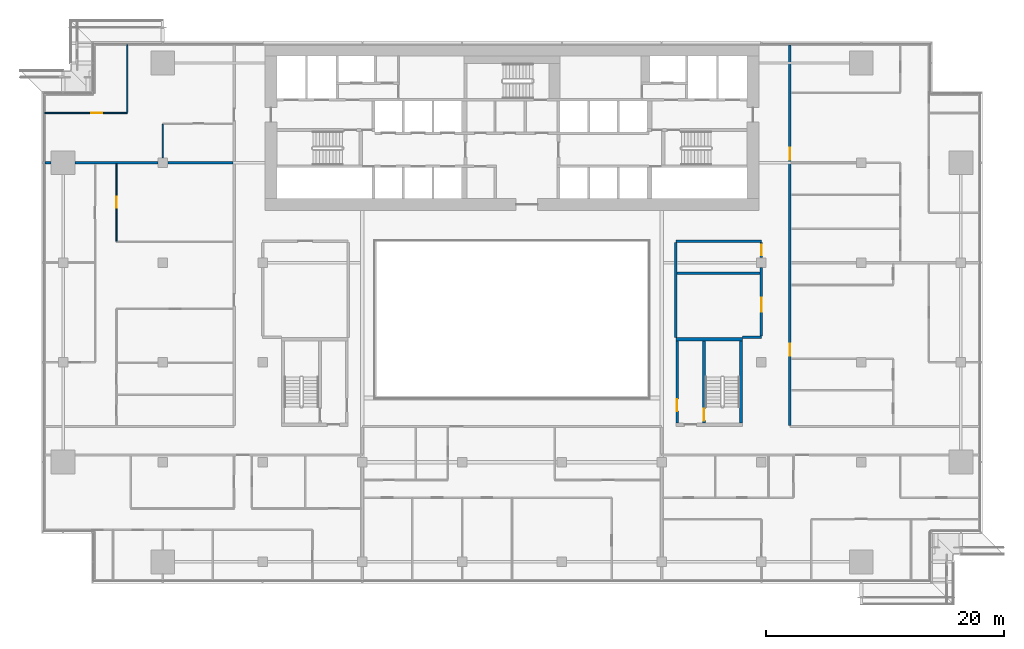
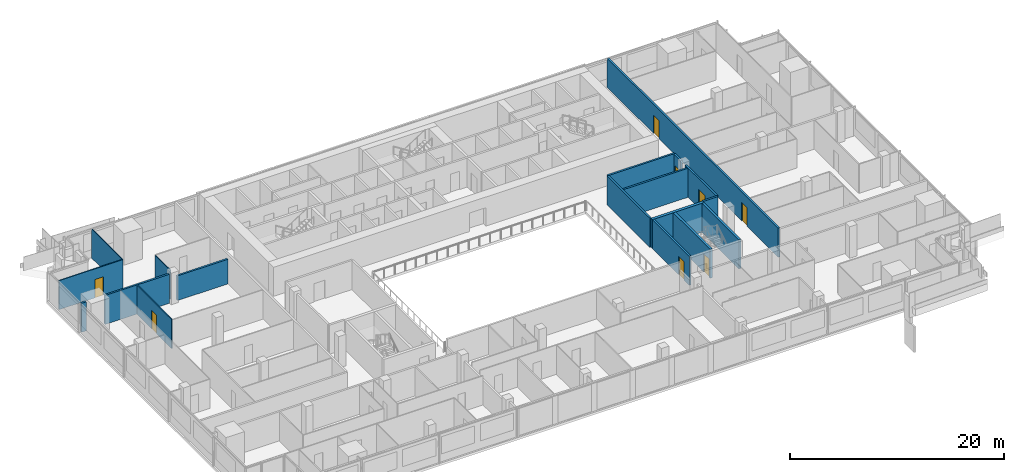
# One storey, part 20 of 30: 18 walls, 8 doors, 8 openings.
"""IFC4 building model written with IfcOpenShell, lengths in metres."""

from ifc_helpers import new_model, si_unit, direction, frame, frame_2d, origin, place, context, subcontext, project, spatial, rectangle, extrude, material, layer, layer_set, type_object, element, fill, save


model = new_model("IFC4")

# Units and contexts
model_context = context("Model", 3, precision=1e-05, world=origin(), true_north=direction((0.0, 1.0)))
body_context = subcontext(model_context, "Body", "Model", "MODEL_VIEW")
ifc_project = project(units=[si_unit("LENGTHUNIT", "METRE"), si_unit("AREAUNIT", "SQUARE_METRE"), si_unit("VOLUMEUNIT", "CUBIC_METRE"), si_unit("PLANEANGLEUNIT", "RADIAN"), si_unit("MASSUNIT", "GRAM", prefix="KILO")], contexts=[model_context])

# Site, building, storey
site_placement = place(None, origin())
site = spatial("IfcSite", under=ifc_project, at=site_placement, CompositionType="ELEMENT")
building_placement = place(site_placement, origin())
building = spatial("IfcBuilding", under=site, at=building_placement, Name="Saffron Gate Tower", CompositionType="ELEMENT")
storey_placement = place(building_placement, frame((0.0, 0.0, 127.64990234375)))
storey = spatial("IfcBuildingStorey", under=building, at=storey_placement, Name="L30", CompositionType="ELEMENT", Elevation=127.64990234375)

# Wall, opening, door
ifc_material_1 = material(Name="Gypsum board partition on steel studs", Category="steel")
ifc_layer_1 = layer(ifc_material_1, 0.199951171875)
ifc_layer_set_1 = layer_set([ifc_layer_1], Name="CW10 Core partition 200")
wall_type_1 = type_object("IfcWallType", Name="CW10 Core partition 200", PredefinedType="PARTITIONING", material=ifc_layer_set_1)
wall_1_placement = place(storey_placement, frame((101.5, 43.5, 0.0), z_axis=(0.0, 0.0, 1.0), x_axis=(0.0, 1.0, 0.0)))
wall_1 = element("IfcWall", 1, at=wall_1_placement, inside=storey, type_object=wall_type_1, Name="Wall CW10-L30-E-2", PredefinedType="PARTITIONING", context=body_context, shape_type="SweptSolid", body=[
    extrude(rectangle(XDim=6.89990234375, YDim=0.199951171875, at=frame_2d((3.449951171875, 0.0))), origin(), (0.0, 0.0, 1.0), 3.320068359375),
])
opening_1_placement = place(wall_1_placement, frame((1.0, 0.0, 0.0)))
opening_1 = element("IfcOpeningElement", 2, at=opening_1_placement, cuts=wall_1, Name="Opening CR-22", PredefinedType="OPENING", context=body_context, shape_type="SweptSolid", body=[
    extrude(rectangle(XDim=1.0, YDim=2.10009765625, at=frame_2d((0.5, 1.050048828125))), frame((0.0, 0.10986328125, 0.0), z_axis=(0.0, -1.0, 0.0), x_axis=(1.0, 0.0, 0.0)), (0.0, 0.0, 1.0), 0.219970703125),
])
ifc_material_2 = material(Name="Steel fire door set", Category="steel")
door_type_1 = type_object("IfcDoorType", Name="CD4 Lobby door 1000x2100 EI 120", OperationType="NOTDEFINED", PredefinedType="DOOR", material=ifc_material_2)
door_1_placement = place(opening_1_placement, origin())
door_1 = element("IfcDoor", 3, at=door_1_placement, inside=storey, type_object=door_type_1, Name="DOOR CR-22", OperationType="SINGLE_SWING_LEFT", OverallHeight=2.10009765625, OverallWidth=1.0, PredefinedType="DOOR", context=body_context, shape_type="SweptSolid", body=[
    extrude(rectangle(XDim=1.0, YDim=2.10009765625, at=frame_2d((0.5, 1.050048828125))), frame((0.0, 0.02490234375, 0.0), z_axis=(0.0, -1.0, 0.0), x_axis=(1.0, 0.0, 0.0)), (0.0, 0.0, 1.0), 0.050048828125),
])
fill(opening_1, door_1)

ifc_material_3 = material(Name="Concrete C70", Category="concrete")
ifc_layer_2 = layer(ifc_material_3, 0.25)
ifc_layer_set_2 = layer_set([ifc_layer_2], Name="CW2 RC core wall 250 C70")
wall_type_2 = type_object("IfcWallType", Name="CW2 RC core wall 250 C70", PredefinedType="SOLIDWALL", material=ifc_layer_set_2)
wall_2_placement = place(storey_placement, frame((103.77490234375, 43.5, 0.0), z_axis=(0.0, 0.0, 1.0), x_axis=(0.0, 1.0, 0.0)))
wall_2 = element("IfcWall", 4, at=wall_2_placement, inside=storey, type_object=wall_type_2, Name="Wall CW2-L30-E-3", PredefinedType="SOLIDWALL", context=body_context, shape_type="SweptSolid", body=[
    extrude(rectangle(XDim=6.89990234375, YDim=0.25, at=frame_2d((3.449951171875, 0.0))), origin(), (0.0, 0.0, 1.0), 3.320068359375),
])
opening_2_placement = place(wall_2_placement, frame((0.199951171875, 0.0, 0.0)))
opening_2 = element("IfcOpeningElement", 5, at=opening_2_placement, cuts=wall_2, Name="Opening CR-23", PredefinedType="OPENING", context=body_context, shape_type="SweptSolid", body=[
    extrude(rectangle(XDim=1.0, YDim=2.10009765625, at=frame_2d((0.5, 1.050048828125))), frame((0.0, 0.135009765625, 0.0), z_axis=(0.0, -1.0, 0.0), x_axis=(1.0, 0.0, 0.0)), (0.0, 0.0, 1.0), 0.27001953125),
])
door_type_2 = type_object("IfcDoorType", Name="CD5 Stair door 1000x2100 EI 120", OperationType="NOTDEFINED", PredefinedType="DOOR", material=ifc_material_2)
door_2_placement = place(opening_2_placement, origin())
door_2 = element("IfcDoor", 6, at=door_2_placement, inside=storey, type_object=door_type_2, Name="DOOR CR-23", OperationType="SINGLE_SWING_RIGHT", OverallHeight=2.10009765625, OverallWidth=1.0, PredefinedType="DOOR", context=body_context, shape_type="SweptSolid", body=[
    extrude(rectangle(XDim=1.0, YDim=2.10009765625, at=frame_2d((0.5, 1.050048828125))), frame((0.0, 0.02490234375, 0.0), z_axis=(0.0, -1.0, 0.0), x_axis=(1.0, 0.0, 0.0)), (0.0, 0.0, 1.0), 0.050048828125),
])
fill(opening_2, door_2)

# Walls
wall_3_placement = place(storey_placement, frame((106.875, 43.5, 0.0), z_axis=(0.0, 0.0, 1.0), x_axis=(0.0, 1.0, 0.0)))
element("IfcWall", 7, at=wall_3_placement, inside=storey, type_object=wall_type_2, Name="Wall CW2-L30-E-4", PredefinedType="SOLIDWALL", context=body_context, shape_type="SweptSolid", body=[
    extrude(rectangle(XDim=6.89990234375, YDim=0.25, at=frame_2d((3.449951171875, 0.0))), origin(), (0.0, 0.0, 1.0), 3.320068359375),
])
ifc_layer_3 = layer(ifc_material_3, 0.300048828125)
ifc_layer_set_3 = layer_set([ifc_layer_3], Name="CW5 RC core wall 300 C70")
wall_type_3 = type_object("IfcWallType", Name="CW5 RC core wall 300 C70", PredefinedType="SOLIDWALL", material=ifc_layer_set_3)
wall_4_placement = place(storey_placement, frame((101.39990234375, 50.550048828125, 0.0), z_axis=(0.0, 0.0, 1.0), x_axis=(1.0, 0.0, 0.0)))
element("IfcWall", 8, at=wall_4_placement, inside=storey, type_object=wall_type_3, Name="Wall CW5-L30-E-5", PredefinedType="SOLIDWALL", context=body_context, shape_type="SweptSolid", body=[
    extrude(rectangle(XDim=5.60009765625, YDim=0.300048828125, at=frame_2d((2.800048828125, 0.0))), origin(), (0.0, 0.0, 1.0), 3.320068359375),
])

# Wall, opening, door
ifc_material_4 = material(Name="Plasterboard on steel studs", Category="steel")
ifc_layer_4 = layer(ifc_material_4, 0.10009765625)
ifc_layer_set_4 = layer_set([ifc_layer_4], Name="PW1 Partition 100")
wall_type_4 = type_object("IfcWallType", Name="PW1 Partition 100", PredefinedType="PARTITIONING", material=ifc_layer_set_4)
wall_5_placement = place(storey_placement, frame((48.280029296875, 69.60009765625, 0.0), z_axis=(0.0, 0.0, 1.0), x_axis=(1.0, 0.0, 0.0)))
wall_5 = element("IfcWall", 9, at=wall_5_placement, inside=storey, type_object=wall_type_4, Name="Partition B4-50", PredefinedType="PARTITIONING", context=body_context, shape_type="SweptSolid", body=[
    extrude(rectangle(XDim=6.919921875, YDim=0.10009765625, at=frame_2d((3.4599609375, 0.0))), origin(), (0.0, 0.0, 1.0), 3.320068359375),
])
opening_3_placement = place(wall_5_placement, frame((3.9052734375, 0.0, 0.0)))
opening_3 = element("IfcOpeningElement", 10, at=opening_3_placement, cuts=wall_5, Name="Opening B4-27", PredefinedType="OPENING", context=body_context, shape_type="SweptSolid", body=[
    extrude(rectangle(XDim=0.89990234375, YDim=2.10009765625, at=frame_2d((0.449951171875, 1.050048828125))), frame((0.0, 0.06005859375, 0.0), z_axis=(0.0, -1.0, 0.0), x_axis=(1.0, 0.0, 0.0)), (0.0, 0.0, 1.0), 0.1201171875),
])
ifc_material_5 = material(Name="Timber door set", Category="wood")
door_type_3 = type_object("IfcDoorType", Name="RD1 Room door 900x2100", OperationType="NOTDEFINED", PredefinedType="DOOR", material=ifc_material_5)
door_3_placement = place(opening_3_placement, origin())
door_3 = element("IfcDoor", 11, at=door_3_placement, inside=storey, type_object=door_type_3, Name="Door B4-27", OperationType="SINGLE_SWING_RIGHT", OverallHeight=2.10009765625, OverallWidth=0.89990234375, PredefinedType="DOOR", context=body_context, shape_type="SweptSolid", body=[
    extrude(rectangle(XDim=0.89990234375, YDim=2.10009765625, at=frame_2d((0.449951171875, 1.050048828125))), frame((0.0, 0.02490234375, 0.0), z_axis=(0.0, -1.0, 0.0), x_axis=(1.0, 0.0, 0.0)), (0.0, 0.0, 1.0), 0.050048828125),
])
fill(opening_3, door_3)

wall_6_placement = place(storey_placement, frame((54.300048828125, 65.300048828125, 0.0), z_axis=(0.0, 0.0, 1.0), x_axis=(0.0, -1.0, 0.0)))
wall_6 = element("IfcWall", 12, at=wall_6_placement, inside=storey, type_object=wall_type_4, Name="Partition B4-56", PredefinedType="PARTITIONING", context=body_context, shape_type="SweptSolid", body=[
    extrude(rectangle(XDim=6.508544921875, YDim=0.10009765625, at=frame_2d((3.25439453125, 0.0))), origin(), (0.0, 0.0, 1.0), 3.320068359375),
])
opening_4_placement = place(wall_6_placement, frame((2.779296875, 0.0, 0.0)))
opening_4 = element("IfcOpeningElement", 13, at=opening_4_placement, cuts=wall_6, Name="Opening B4-25", PredefinedType="OPENING", context=body_context, shape_type="SweptSolid", body=[
    extrude(rectangle(XDim=0.89990234375, YDim=2.10009765625, at=frame_2d((0.449951171875, 1.050048828125))), frame((0.0, 0.06005859375, 0.0), z_axis=(0.0, -1.0, 0.0), x_axis=(1.0, 0.0, 0.0)), (0.0, 0.0, 1.0), 0.1201171875),
])
door_4_placement = place(opening_4_placement, origin())
door_4 = element("IfcDoor", 14, at=door_4_placement, inside=storey, type_object=door_type_3, Name="Door B4-25", OperationType="SINGLE_SWING_LEFT", OverallHeight=2.10009765625, OverallWidth=0.89990234375, PredefinedType="DOOR", context=body_context, shape_type="SweptSolid", body=[
    extrude(rectangle(XDim=0.89990234375, YDim=2.10009765625, at=frame_2d((0.449951171875, 1.050048828125))), frame((0.0, 0.02490234375, 0.0), z_axis=(0.0, -1.0, 0.0), x_axis=(1.0, 0.0, 0.0)), (0.0, 0.0, 1.0), 0.050048828125),
])
fill(opening_4, door_4)

# Walls
wall_7_placement = place(storey_placement, frame((55.199951171875, 75.320068359375, 0.0), z_axis=(0.0, 0.0, 1.0), x_axis=(0.0, -1.0, 0.0)))
element("IfcWall", 15, at=wall_7_placement, inside=storey, type_object=wall_type_4, Name="Partition B4-57", PredefinedType="PARTITIONING", context=body_context, shape_type="SweptSolid", body=[
    extrude(rectangle(XDim=5.670166015625, YDim=0.10009765625, at=frame_2d((2.8349609375, 0.0))), origin(), (0.0, 0.0, 1.0), 3.320068359375),
])
wall_8_placement = place(storey_placement, frame((58.199951171875, 68.64990234375, 0.0), z_axis=(0.0, 0.0, 1.0), x_axis=(0.0, -1.0, 0.0)))
element("IfcWall", 16, at=wall_8_placement, inside=storey, type_object=wall_type_4, Name="Partition B4-61", PredefinedType="PARTITIONING", context=body_context, shape_type="SweptSolid", body=[
    extrude(rectangle(XDim=2.829833984375, YDim=0.10009765625, at=frame_2d((1.4150390625, 0.0))), origin(), (0.0, 0.0, 1.0), 3.320068359375),
])
ifc_material_6 = material(Name="Clay brick masonry, rendered", Category="masonry")
ifc_layer_5 = layer(ifc_material_6, 0.199951171875)
ifc_layer_set_5 = layer_set([ifc_layer_5], Name="PW2 Demising wall 200")
wall_type_5 = type_object("IfcWallType", Name="PW2 Demising wall 200", PredefinedType="PARTITIONING", material=ifc_layer_set_5)
wall_9_placement = place(storey_placement, frame((48.280029296875, 65.39990234375, 0.0), z_axis=(0.0, 0.0, 1.0), x_axis=(1.0, 0.0, 0.0)))
element("IfcWall", 17, at=wall_9_placement, inside=storey, type_object=wall_type_5, Name="Wall B4-44", PredefinedType="PARTITIONING", context=body_context, shape_type="SweptSolid", body=[
    extrude(rectangle(XDim=0.5, YDim=0.199951171875, at=frame_2d((0.25, 0.0))), origin(), (0.0, 0.0, 1.0), 3.320068359375),
])
wall_10_placement = place(storey_placement, frame((50.820068359375, 65.39990234375, 0.0), z_axis=(0.0, 0.0, 1.0), x_axis=(1.0, 0.0, 0.0)))
element("IfcWall", 18, at=wall_10_placement, inside=storey, type_object=wall_type_5, Name="Wall B4-45", PredefinedType="PARTITIONING", context=body_context, shape_type="SweptSolid", body=[
    extrude(rectangle(XDim=6.9599609375, YDim=0.199951171875, at=frame_2d((3.47998046875, 0.0))), origin(), (0.0, 0.0, 1.0), 3.320068359375),
])
wall_11_placement = place(storey_placement, frame((58.6201171875, 65.39990234375, 0.0), z_axis=(0.0, 0.0, 1.0), x_axis=(1.0, 0.0, 0.0)))
element("IfcWall", 19, at=wall_11_placement, inside=storey, type_object=wall_type_5, Name="Wall B4-46", PredefinedType="PARTITIONING", context=body_context, shape_type="SweptSolid", body=[
    extrude(rectangle(XDim=5.47998046875, YDim=0.199951171875, at=frame_2d((2.739990234375, 0.0))), origin(), (0.0, 0.0, 1.0), 2.820068359375),
])
ifc_layer_6 = layer(ifc_material_6, 0.199951171875)
ifc_layer_set_6 = layer_set([ifc_layer_6], Name="PW3 Corridor wall 200")
wall_type_6 = type_object("IfcWallType", Name="PW3 Corridor wall 200", PredefinedType="PARTITIONING", material=ifc_layer_set_6)
wall_12_placement = place(storey_placement, frame((107.0, 50.699951171875, 0.0), z_axis=(0.0, 0.0, 1.0), x_axis=(1.0, 0.0, 0.0)))
element("IfcWall", 20, at=wall_12_placement, inside=storey, type_object=wall_type_6, Name="Wall B4-29", PredefinedType="PARTITIONING", context=body_context, shape_type="SweptSolid", body=[
    extrude(rectangle(XDim=1.60009765625, YDim=0.199951171875, at=frame_2d((0.800048828125, 0.0))), origin(), (0.0, 0.0, 1.0), 3.320068359375),
])
wall_13_placement = place(storey_placement, frame((101.39990234375, 58.800048828125, 0.0), z_axis=(0.0, 0.0, 1.0), x_axis=(1.0, 0.0, 0.0)))
element("IfcWall", 21, at=wall_13_placement, inside=storey, type_object=wall_type_6, Name="Wall B4-40", PredefinedType="PARTITIONING", context=body_context, shape_type="SweptSolid", body=[
    extrude(rectangle(XDim=7.2001953125, YDim=0.199951171875, at=frame_2d((3.60009765625, 0.0))), origin(), (0.0, 0.0, 1.0), 3.320068359375),
])
wall_14_placement = place(storey_placement, frame((101.39990234375, 58.699951171875, 0.0), z_axis=(0.0, 0.0, 1.0), x_axis=(0.0, -1.0, 0.0)))
element("IfcWall", 22, at=wall_14_placement, inside=storey, type_object=wall_type_6, Name="Wall B4-85", PredefinedType="PARTITIONING", context=body_context, shape_type="SweptSolid", body=[
    extrude(rectangle(XDim=8.0, YDim=0.199951171875, at=frame_2d((4.0, 0.0))), origin(), (0.0, 0.0, 1.0), 3.320068359375),
])

# Wall, opening, door
wall_15_placement = place(storey_placement, frame((108.60009765625, 50.800048828125, 0.0), z_axis=(0.0, 0.0, 1.0), x_axis=(0.0, 1.0, 0.0)))
wall_15 = element("IfcWall", 23, at=wall_15_placement, inside=storey, type_object=wall_type_6, Name="Wall B4-87", PredefinedType="PARTITIONING", context=body_context, shape_type="SweptSolid", body=[
    extrude(rectangle(XDim=5.780029296875, YDim=0.199951171875, at=frame_2d((2.89013671875, 0.0))), origin(), (0.0, 0.0, 1.0), 3.320068359375),
])
opening_5_placement = place(wall_15_placement, frame((2.050048828125, 0.0, 0.0)))
opening_5 = element("IfcOpeningElement", 24, at=opening_5_placement, cuts=wall_15, Name="Opening B4-48", PredefinedType="OPENING", context=body_context, shape_type="SweptSolid", body=[
    extrude(rectangle(XDim=1.199951171875, YDim=2.10009765625, at=frame_2d((0.60009765625, 1.050048828125))), frame((0.0, 0.10986328125, 0.0), z_axis=(0.0, -1.0, 0.0), x_axis=(1.0, 0.0, 0.0)), (0.0, 0.0, 1.0), 0.219970703125),
])
door_type_4 = type_object("IfcDoorType", Name="HD1 Hall door 1200x2100", OperationType="NOTDEFINED", PredefinedType="DOOR", material=ifc_material_5)
door_5_placement = place(opening_5_placement, origin())
door_5 = element("IfcDoor", 25, at=door_5_placement, inside=storey, type_object=door_type_4, Name="Door B4-48", OperationType="SINGLE_SWING_RIGHT", OverallHeight=2.10009765625, OverallWidth=1.199951171875, PredefinedType="DOOR", context=body_context, shape_type="SweptSolid", body=[
    extrude(rectangle(XDim=1.199951171875, YDim=2.10009765625, at=frame_2d((0.60009765625, 1.050048828125))), frame((0.0, 0.02490234375, 0.0), z_axis=(0.0, -1.0, 0.0), x_axis=(1.0, 0.0, 0.0)), (0.0, 0.0, 1.0), 0.050048828125),
])
fill(opening_5, door_5)

wall_16_placement = place(storey_placement, frame((108.60009765625, 57.419921875, 0.0), z_axis=(0.0, 0.0, 1.0), x_axis=(0.0, 1.0, 0.0)))
wall_16 = element("IfcWall", 26, at=wall_16_placement, inside=storey, type_object=wall_type_6, Name="Wall B4-88", PredefinedType="PARTITIONING", context=body_context, shape_type="SweptSolid", body=[
    extrude(rectangle(XDim=1.280029296875, YDim=0.199951171875, at=frame_2d((0.64013671875, 0.0))), origin(), (0.0, 0.0, 1.0), 3.320068359375),
])
opening_6_placement = place(wall_16_placement, frame((0.18994140625, 0.0, 0.0)))
opening_6 = element("IfcOpeningElement", 27, at=opening_6_placement, cuts=wall_16, Name="Opening B4-35", PredefinedType="OPENING", context=body_context, shape_type="SweptSolid", body=[
    extrude(rectangle(XDim=0.89990234375, YDim=2.10009765625, at=frame_2d((0.449951171875, 1.050048828125))), frame((0.0, 0.10986328125, 0.0), z_axis=(0.0, -1.0, 0.0), x_axis=(1.0, 0.0, 0.0)), (0.0, 0.0, 1.0), 0.219970703125),
])
door_6_placement = place(opening_6_placement, origin())
door_6 = element("IfcDoor", 28, at=door_6_placement, inside=storey, type_object=door_type_3, Name="Door B4-35", OperationType="SINGLE_SWING_RIGHT", OverallHeight=2.10009765625, OverallWidth=0.89990234375, PredefinedType="DOOR", context=body_context, shape_type="SweptSolid", body=[
    extrude(rectangle(XDim=0.89990234375, YDim=2.10009765625, at=frame_2d((0.449951171875, 1.050048828125))), frame((0.0, 0.02490234375, 0.0), z_axis=(0.0, -1.0, 0.0), x_axis=(1.0, 0.0, 0.0)), (0.0, 0.0, 1.0), 0.050048828125),
])
fill(opening_6, door_6)

# Wall, openings, doors
wall_17_placement = place(storey_placement, frame((111.0, 75.320068359375, 0.0), z_axis=(0.0, 0.0, 1.0), x_axis=(0.0, -1.0, 0.0)))
wall_17 = element("IfcWall", 29, at=wall_17_placement, inside=storey, type_object=wall_type_6, Name="Wall B4-92", PredefinedType="PARTITIONING", context=body_context, shape_type="SweptSolid", body=[
    extrude(rectangle(XDim=32.02001953125, YDim=0.199951171875, at=frame_2d((16.010009765625, 0.0))), origin(), (0.0, 0.0, 1.0), 3.320068359375),
])
opening_7_placement = place(wall_17_placement, frame((8.669921875, 0.0, 0.0)))
opening_7 = element("IfcOpeningElement", 30, at=opening_7_placement, cuts=wall_17, Name="Opening B4-7", PredefinedType="OPENING", context=body_context, shape_type="SweptSolid", body=[
    extrude(rectangle(XDim=1.0, YDim=2.10009765625, at=frame_2d((0.5, 1.050048828125))), frame((0.0, 0.10986328125, 0.0), z_axis=(0.0, -1.0, 0.0), x_axis=(1.0, 0.0, 0.0)), (0.0, 0.0, 1.0), 0.219970703125),
])
opening_8_placement = place(wall_17_placement, frame((25.169921875, 0.0, 0.0)))
opening_8 = element("IfcOpeningElement", 31, at=opening_8_placement, cuts=wall_17, Name="Opening B4-6", PredefinedType="OPENING", context=body_context, shape_type="SweptSolid", body=[
    extrude(rectangle(XDim=1.0, YDim=2.10009765625, at=frame_2d((0.5, 1.050048828125))), frame((0.0, 0.10986328125, 0.0), z_axis=(0.0, -1.0, 0.0), x_axis=(1.0, 0.0, 0.0)), (0.0, 0.0, 1.0), 0.219970703125),
])
ifc_material_7 = material(Name="Timber fire door set", Category="wood")
door_type_5 = type_object("IfcDoorType", Name="FD1 Flat entry door 1000x2100", OperationType="NOTDEFINED", PredefinedType="DOOR", material=ifc_material_7)
door_7_placement = place(opening_7_placement, origin())
door_7 = element("IfcDoor", 32, at=door_7_placement, inside=storey, type_object=door_type_5, Name="Door B4-7", OperationType="SINGLE_SWING_RIGHT", OverallHeight=2.10009765625, OverallWidth=1.0, PredefinedType="DOOR", context=body_context, shape_type="SweptSolid", body=[
    extrude(rectangle(XDim=1.0, YDim=2.10009765625, at=frame_2d((0.5, 1.050048828125))), frame((0.0, 0.02490234375, 0.0), z_axis=(0.0, -1.0, 0.0), x_axis=(1.0, 0.0, 0.0)), (0.0, 0.0, 1.0), 0.050048828125),
])
fill(opening_7, door_7)
door_8_placement = place(opening_8_placement, origin())
door_8 = element("IfcDoor", 33, at=door_8_placement, inside=storey, type_object=door_type_5, Name="Door B4-6", OperationType="SINGLE_SWING_LEFT", OverallHeight=2.10009765625, OverallWidth=1.0, PredefinedType="DOOR", context=body_context, shape_type="SweptSolid", body=[
    extrude(rectangle(XDim=1.0, YDim=2.10009765625, at=frame_2d((0.5, 1.050048828125))), frame((0.0, 0.02490234375, 0.0), z_axis=(0.0, -1.0, 0.0), x_axis=(1.0, 0.0, 0.0)), (0.0, 0.0, 1.0), 0.050048828125),
])
fill(opening_8, door_8)

# Wall
ifc_layer_7 = layer(ifc_material_6, 0.199951171875)
ifc_layer_set_7 = layer_set([ifc_layer_7], Name="PW5 Room wall 200")
wall_type_7 = type_object("IfcWallType", Name="PW5 Room wall 200", PredefinedType="PARTITIONING", material=ifc_layer_set_7)
wall_18_placement = place(storey_placement, frame((101.5, 56.10009765625, 0.0), z_axis=(0.0, 0.0, 1.0), x_axis=(1.0, 0.0, 0.0)))
element("IfcWall", 34, at=wall_18_placement, inside=storey, type_object=wall_type_7, Name="Wall B4-32", PredefinedType="PARTITIONING", context=body_context, shape_type="SweptSolid", body=[
    extrude(rectangle(XDim=7.0, YDim=0.199951171875, at=frame_2d((3.5, 0.0))), origin(), (0.0, 0.0, 1.0), 3.320068359375),
])

save(model, "model.ifc")
